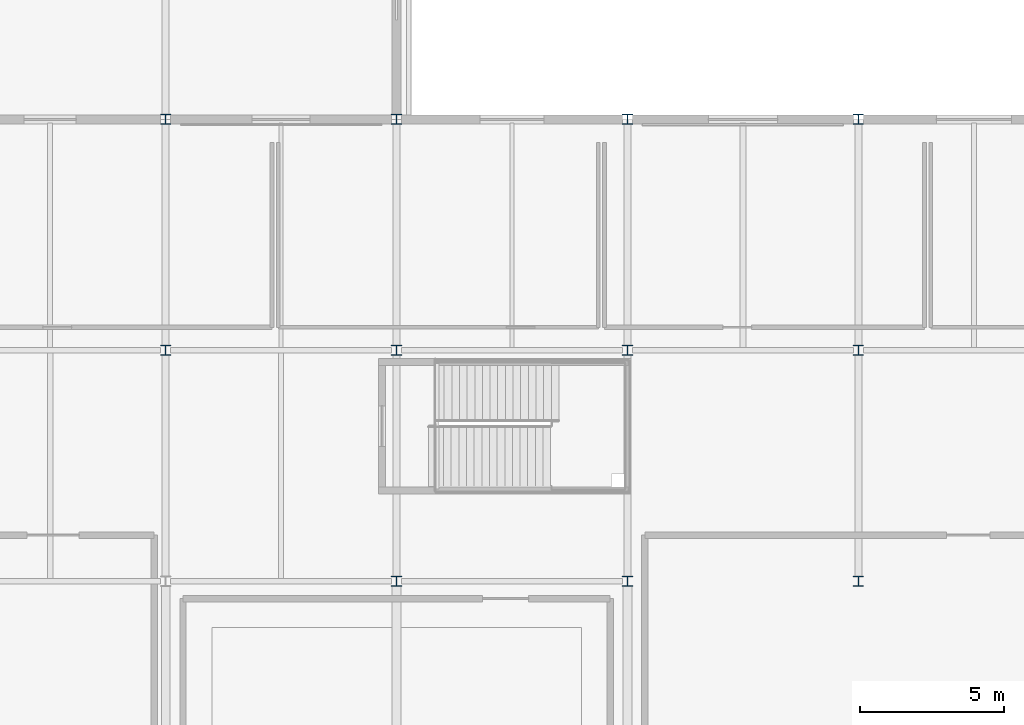
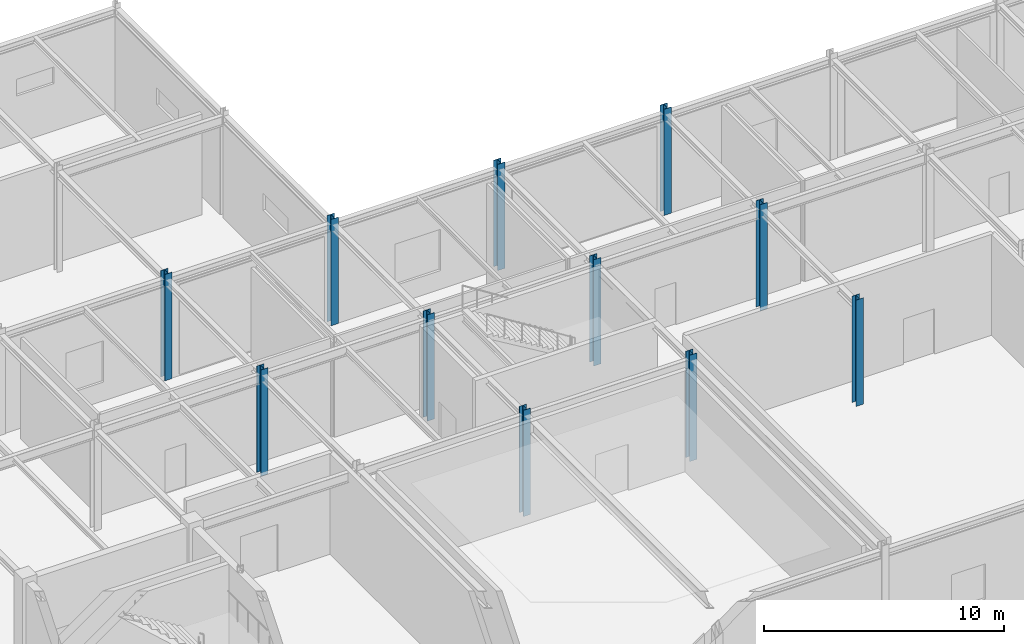
# One storey, part 14 of 108: 11 columns.
"""IFC4 building model written with IfcOpenShell, lengths in metres."""

from ifc_helpers import new_model, si_unit, direction, frame, origin, origin_2d, place, context, subcontext, project, spatial, i_section, extrude, material, material_profile, profile_set, type_object, element, save


model = new_model("IFC4")

# Units and contexts
model_context = context("Model", 3, precision=1e-05, world=origin(), true_north=direction((0.0, 1.0)))
body_context = subcontext(model_context, "Body", "Model", "MODEL_VIEW")
ifc_project = project(units=[si_unit("LENGTHUNIT", "METRE"), si_unit("AREAUNIT", "SQUARE_METRE"), si_unit("VOLUMEUNIT", "CUBIC_METRE"), si_unit("PLANEANGLEUNIT", "RADIAN"), si_unit("MASSUNIT", "GRAM", prefix="KILO")], contexts=[model_context])

# Site, building, storey
site_placement = place(None, origin())
site = spatial("IfcSite", under=ifc_project, at=site_placement, CompositionType="ELEMENT")
building_placement = place(site_placement, origin())
building = spatial("IfcBuilding", under=site, at=building_placement, Name="Zhaolan Boulevard Law Courts", CompositionType="ELEMENT")
storey_placement = place(building_placement, frame((0.0, 0.0, 10.800048828125)))
storey = spatial("IfcBuildingStorey", under=building, at=storey_placement, Name="L02", CompositionType="ELEMENT", Elevation=10.800048828125)

# Columns
ifc_material = material(Name="Structural steel Q355B", Category="steel")
ifc_material_profile = material_profile(ifc_material, i_section(OverallWidth=0.35009765625, OverallDepth=0.35009765625, WebThickness=0.011962890625, FlangeThickness=0.01904296875, FilletRadius=0.02001953125, at=origin_2d()), Name="HW350x350")
ifc_profile_set = profile_set([ifc_material_profile], Name="Structural steel Q355B")
column_type = type_object("IfcColumnType", Name="COL HW350", PredefinedType="COLUMN", material=ifc_profile_set)
for number, where, z_axis, x_axis, name in (
    (1, (100.0, 86.0, 0.0), (0.0, 0.0, 1.0), (1.0, 0.0, 0.0), "Column C-13M (L02)"),
    (2, (100.0, 94.0, 0.0), (0.0, 0.0, 1.0), (1.0, 0.0, 0.0), "Column C-13N (L02)"),
    (3, (108.0, 78.0, 0.0), (0.0, 0.0, 1.0), (1.0, 0.0, 0.0), "Column C-14L (L02)"),
    (4, (108.0, 86.0, 0.0), (0.0, 0.0, 1.0), (1.0, 0.0, 0.0), "Column C-14M (L02)"),
    (5, (108.0, 94.0, 0.0), (0.0, 0.0, 1.0), (1.0, 0.0, 0.0), "Column C-14N (L02)"),
    (6, (116.0, 78.0, 0.0), (0.0, 0.0, 1.0), (1.0, 0.0, 0.0), "Column C-15L (L02)"),
    (7, (116.0, 86.0, 0.0), (0.0, 0.0, 1.0), (1.0, 0.0, 0.0), "Column C-15M (L02)"),
    (8, (116.0, 94.0, 0.0), (0.0, 0.0, 1.0), (1.0, 0.0, 0.0), "Column C-15N (L02)"),
    (9, (124.0, 78.0, 0.0), (0.0, 0.0, 1.0), (1.0, 0.0, 0.0), "Column C-16L (L02)"),
    (10, (124.0, 86.0, 0.0), (0.0, 0.0, 1.0), (1.0, 0.0, 0.0), "Column C-16M (L02)"),
    (11, (124.0, 94.0, 0.0), (0.0, 0.0, 1.0), (1.0, 0.0, 0.0), "Column C-16N (L02)"),
):
    element("IfcColumn", number, at=place(storey_placement, frame(where, z_axis=z_axis, x_axis=x_axis)), inside=storey, type_object=column_type, Name=name, PredefinedType="COLUMN", context=body_context, shape_type="SweptSolid", body=[
        extrude(i_section(OverallWidth=0.35009765625, OverallDepth=0.35009765625, WebThickness=0.011962890625, FlangeThickness=0.01904296875, FilletRadius=0.02001953125, at=origin_2d()), origin(), (0.0, 0.0, 1.0), 5.39990234375),
    ])

save(model, "model.ifc")
